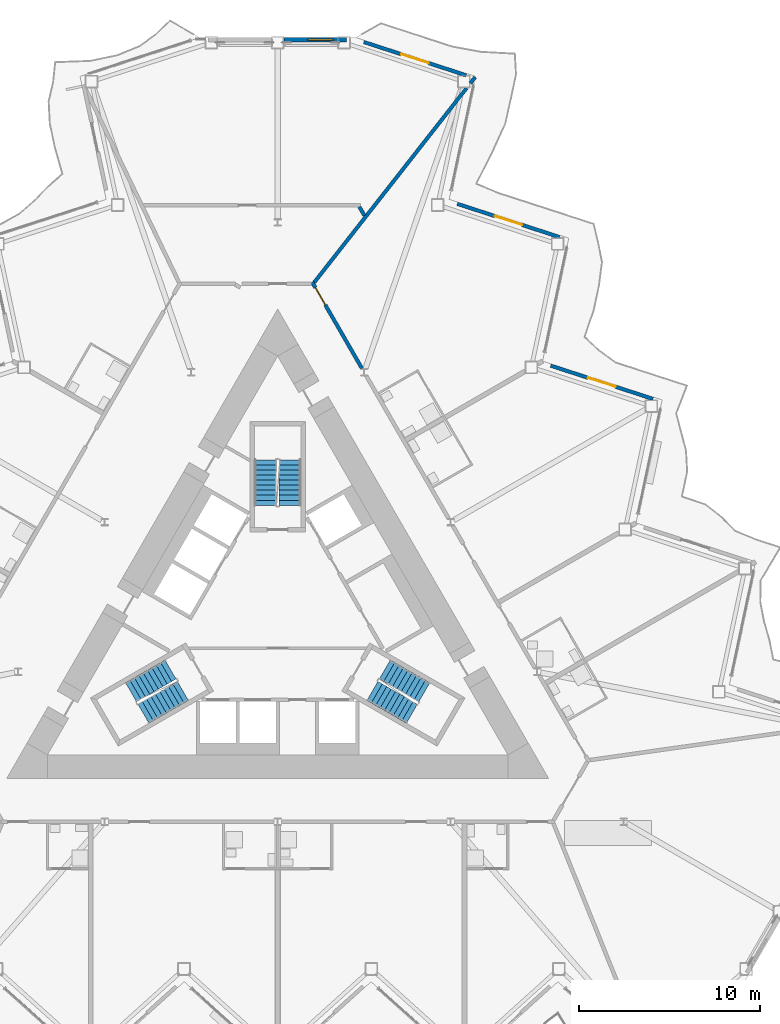
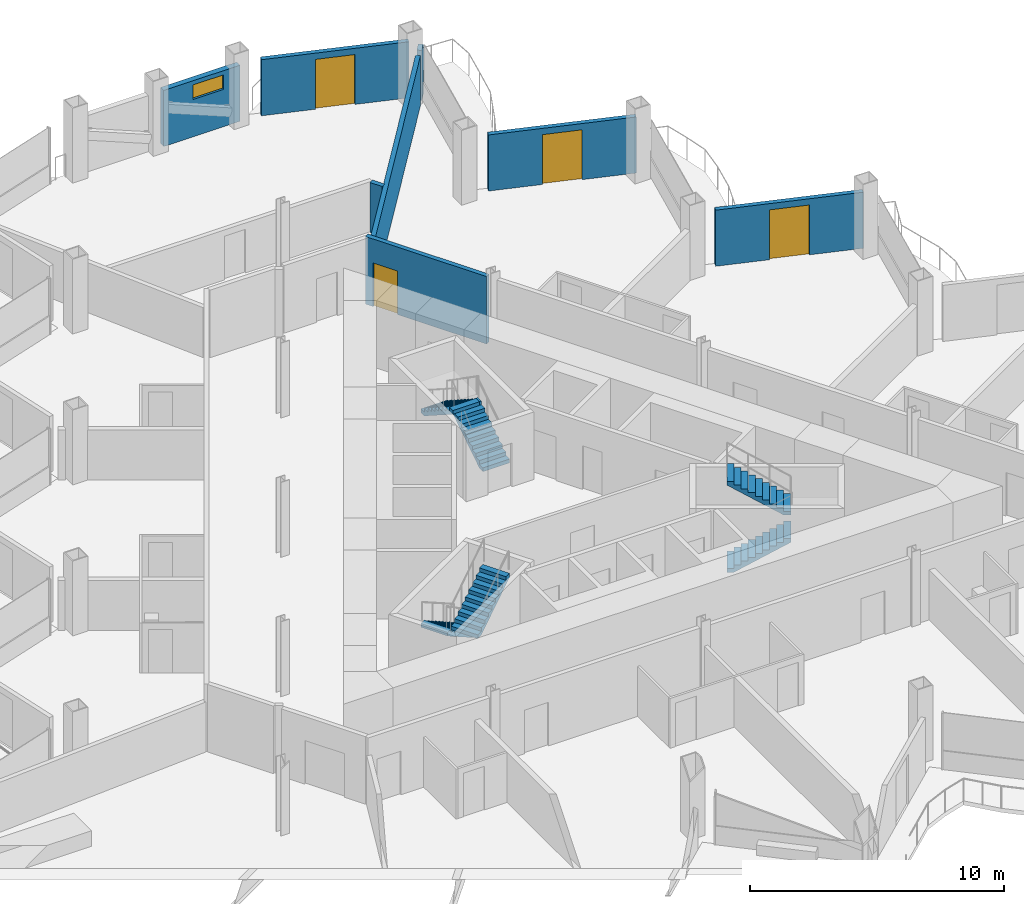
# One storey, part 15 of 24: 8 walls, 6 stair flights, 4 doors, 1 window, 5 openings, 3 elements without a shape of their own.
"""IFC4 building model written with IfcOpenShell, lengths in metres."""

from ifc_helpers import new_model, si_unit, direction, frame, frame_2d, origin, place, context, subcontext, project, spatial, polyline, rectangle, outline, extrude, material, layer, layer_set, type_object, element, fill, aggregate, save


model = new_model("IFC4")

# Units and contexts
model_context = context("Model", 3, precision=1e-05, world=origin(), true_north=direction((0.0, 1.0)))
body_context = subcontext(model_context, "Body", "Model", "MODEL_VIEW")
ifc_project = project(units=[si_unit("LENGTHUNIT", "METRE"), si_unit("AREAUNIT", "SQUARE_METRE"), si_unit("VOLUMEUNIT", "CUBIC_METRE"), si_unit("PLANEANGLEUNIT", "RADIAN"), si_unit("MASSUNIT", "GRAM", prefix="KILO")], contexts=[model_context])

# Site, building, storey
site_placement = place(None, origin())
site = spatial("IfcSite", under=ifc_project, at=site_placement, CompositionType="ELEMENT")
building_placement = place(site_placement, origin())
building = spatial("IfcBuilding", under=site, at=building_placement, Name="Cormorant Prow Tower", CompositionType="ELEMENT")
storey_placement = place(building_placement, frame((0.0, 0.0, 238.199951171875)))
storey = spatial("IfcBuildingStorey", under=building, at=storey_placement, Name="L52", CompositionType="ELEMENT", Elevation=238.199951171875)

# Wall, opening, door
ifc_material_1 = material(Name="Gypsum board corridor wall")
ifc_layer_1 = layer(ifc_material_1, 0.199951171875)
ifc_layer_set_1 = layer_set([ifc_layer_1], Name="Gypsum board corridor wall")
wall_type_1 = type_object("IfcWallType", Name="Corridor wall 200", PredefinedType="PARTITIONING", material=ifc_layer_set_1)
wall_1_placement = place(storey_placement, frame((1.9130859375, 18.80712890625, 0.0), z_axis=(0.0, 0.0, 1.0), x_axis=(0.499984524817, -0.866034338201, 0.0)))
wall_1 = element("IfcWall", 1, at=wall_1_placement, inside=storey, type_object=wall_type_1, Name="Corridor wall", PredefinedType="PARTITIONING", context=body_context, shape_type="SweptSolid", body=[
    extrude(rectangle(XDim=5.510498046875, YDim=0.199951171875, at=frame_2d((2.75537109375, 0.0))), origin(), (0.0, 0.0, 1.0), 3.25),
])
opening_1_placement = place(wall_1_placement, frame((0.350341796875, 0.0, 0.0)))
opening_1 = element("IfcOpeningElement", 2, at=opening_1_placement, cuts=wall_1, Name="Opening L52-F16", PredefinedType="OPENING", context=body_context, shape_type="SweptSolid", body=[
    extrude(rectangle(XDim=1.10009765625, YDim=2.10009765625, at=frame_2d((0.550048828125, 1.050048828125))), frame((0.0, 0.10986328125, 0.0), z_axis=(0.0, -1.0, 0.0), x_axis=(1.0, 0.0, 0.0)), (0.0, 0.0, 1.0), 0.219970703125),
])
ifc_material_2 = material(Name="Timber door leaf", Category="wood")
door_type_1 = type_object("IfcDoorType", Name="Suite entrance door 1100x2100", OperationType="NOTDEFINED", PredefinedType="DOOR", material=ifc_material_2)
door_1_placement = place(opening_1_placement, origin())
door_1 = element("IfcDoor", 3, at=door_1_placement, inside=storey, type_object=door_type_1, Name="Executive suite bedroom door", OperationType="SINGLE_SWING_LEFT", OverallHeight=2.10009765625, OverallWidth=1.10009765625, PredefinedType="DOOR", context=body_context, shape_type="SweptSolid", body=[
    extrude(rectangle(XDim=1.10009765625, YDim=2.10009765625, at=frame_2d((0.550048828125, 1.050048828125))), frame((0.0, 0.02490234375, 0.0), z_axis=(0.0, -1.0, 0.0), x_axis=(1.0, 0.0, 0.0)), (0.0, 0.0, 1.0), 0.050048828125),
])
fill(opening_1, door_1)

# Walls
ifc_material_3 = material(Name="Gypsum board demising wall")
ifc_layer_2 = layer(ifc_material_3, 0.199951171875)
ifc_layer_set_2 = layer_set([ifc_layer_2], Name="Gypsum board demising wall")
wall_type_2 = type_object("IfcWallType", Name="Demising wall 200", PredefinedType="PARTITIONING", material=ifc_layer_set_2)
wall_2_placement = place(storey_placement, frame((2.024658203125, 18.799072265625, 0.0), z_axis=(0.0, 0.0, 1.0), x_axis=(0.616942368609, 0.787008331478, 0.0)))
element("IfcWall", 4, at=wall_2_placement, inside=storey, type_object=wall_type_2, Name="Demising wall", PredefinedType="PARTITIONING", context=body_context, shape_type="SweptSolid", body=[
    extrude(rectangle(XDim=13.66796875, YDim=0.199951171875, at=frame_2d((6.833984375, 0.0))), origin(), (0.0, 0.0, 1.0), 2.404296875),
])
wall_3_placement = place(storey_placement, frame((4.5244140625, 22.98388671875, 0.0), z_axis=(0.0, 0.0, 1.0), x_axis=(0.500248658738, -0.865881792989, 0.0)))
element("IfcWall", 5, at=wall_3_placement, inside=storey, type_object=wall_type_2, Name="Demising wall", PredefinedType="PARTITIONING", context=body_context, shape_type="SweptSolid", body=[
    extrude(rectangle(XDim=0.562255859375, YDim=0.199951171875, at=frame_2d((0.28125, 0.0))), origin(), (0.0, 0.0, 1.0), 2.404296875),
])
wall_4_placement = place(storey_placement, frame((10.670166015625, 29.827880859375, 0.0), z_axis=(0.0, 0.0, 1.0), x_axis=(0.617216179113, 0.786793612227, 0.0)))
element("IfcWall", 6, at=wall_4_placement, inside=storey, type_object=wall_type_2, Name="Demising wall", PredefinedType="PARTITIONING", context=body_context, shape_type="SweptSolid", body=[
    extrude(rectangle(XDim=0.427490234375, YDim=0.199951171875, at=frame_2d((0.2138671875, 0.0))), origin(), (0.0, 0.0, 1.0), 2.404296875),
])

# Wall, opening, window
ifc_material_4 = material(Name="Terracotta", Category="masonry")
ifc_layer_3 = layer(ifc_material_4, 0.25)
ifc_layer_set_3 = layer_set([ifc_layer_3], Name="Terracotta")
wall_type_3 = type_object("IfcWallType", Name="Terracotta bay wall 250", PredefinedType="SOLIDWALL", material=ifc_layer_set_3)
wall_5_placement = place(storey_placement, frame((3.822998046875, 32.2314453125, 0.0), z_axis=(0.0, 0.0, 1.0), x_axis=(-1.0, 0.0, 0.0)))
wall_5 = element("IfcWall", 7, at=wall_5_placement, inside=storey, type_object=wall_type_3, Name="Terracotta bay wall N00", PredefinedType="SOLIDWALL", context=body_context, shape_type="SweptSolid", body=[
    extrude(rectangle(XDim=3.472900390625, YDim=0.25, at=frame_2d((1.736328125, 0.0))), origin(), (0.0, 0.0, 1.0), 2.700927734375),
])
opening_2_placement = place(wall_5_placement, frame((0.75, 0.0, 1.800048828125)))
opening_2 = element("IfcOpeningElement", 8, at=opening_2_placement, cuts=wall_5, Name="Opening WN4", PredefinedType="OPENING", context=body_context, shape_type="SweptSolid", body=[
    extrude(rectangle(XDim=1.39990234375, YDim=0.699951171875, at=frame_2d((0.699951171875, 0.35009765625))), frame((0.0, 0.135009765625, 0.0), z_axis=(0.0, -1.0, 0.0), x_axis=(1.0, 0.0, 0.0)), (0.0, 0.0, 1.0), 0.27001953125),
])
ifc_material_5 = material(Name="Aluminium 6063-T6", Category="aluminium")
window_type = type_object("IfcWindowType", Name="Corner bay window 1400x700", PartitioningType="SINGLE_PANEL", PredefinedType="WINDOW", material=ifc_material_5)
window_placement = place(opening_2_placement, origin())
window = element("IfcWindow", 9, at=window_placement, inside=storey, type_object=window_type, Name="Corner bay window N00", OverallHeight=0.699951171875, OverallWidth=1.39990234375, PartitioningType="SINGLE_PANEL", PredefinedType="WINDOW", context=body_context, shape_type="SweptSolid", body=[
    extrude(rectangle(XDim=1.39990234375, YDim=0.699951171875, at=frame_2d((0.699951171875, 0.35009765625))), frame((0.0, 0.030029296875, 0.0), z_axis=(0.0, -1.0, 0.0), x_axis=(1.0, 0.0, 0.0)), (0.0, 0.0, 1.0), 0.06005859375),
])
fill(opening_2, window)

# Wall, opening, door
ifc_material_6 = material(Name="Terracotta", Category="masonry")
ifc_layer_4 = layer(ifc_material_6, 0.199951171875)
ifc_layer_set_4 = layer_set([ifc_layer_4], Name="Terracotta")
wall_type_4 = type_object("IfcWallType", Name="Terracotta jamb wall 200", PredefinedType="SOLIDWALL", material=ifc_layer_set_4)
wall_6_placement = place(storey_placement, frame((20.779296875, 12.349609375, 0.0), z_axis=(0.0, 0.0, 1.0), x_axis=(-0.951065383831, 0.308989701572, 0.0)))
wall_6 = element("IfcWall", 10, at=wall_6_placement, inside=storey, type_object=wall_type_4, Name="Terracotta jamb wall ENE05", PredefinedType="SOLIDWALL", context=body_context, shape_type="SweptSolid", body=[
    extrude(rectangle(XDim=5.95751953125, YDim=0.199951171875, at=frame_2d((2.978759765625, 0.0))), origin(), (0.0, 0.0, 1.0), 2.700927734375),
])
opening_3_placement = place(wall_6_placement, frame((2.1787109375, 0.0, 0.0)))
opening_3 = element("IfcOpeningElement", 11, at=opening_3_placement, cuts=wall_6, Name="Opening ED52.08", PredefinedType="OPENING", context=body_context, shape_type="SweptSolid", body=[
    extrude(rectangle(XDim=1.60009765625, YDim=2.39990234375, at=frame_2d((0.800048828125, 1.199951171875))), frame((0.0, 0.10986328125, 0.0), z_axis=(0.0, -1.0, 0.0), x_axis=(1.0, 0.0, 0.0)), (0.0, 0.0, 1.0), 0.219970703125),
])
ifc_material_7 = material(Name="Aluminium 6063-T6", Category="aluminium")
door_type_2 = type_object("IfcDoorType", Name="Balcony door 1600x2400", OperationType="DOUBLE_DOOR_SINGLE_SWING", PredefinedType="DOOR", material=ifc_material_7)
door_2_placement = place(opening_3_placement, origin())
door_2 = element("IfcDoor", 12, at=door_2_placement, inside=storey, type_object=door_type_2, Name="Balcony door ENE05 ED52.08", OperationType="DOUBLE_DOOR_SINGLE_SWING", OverallHeight=2.39990234375, OverallWidth=1.60009765625, PredefinedType="DOOR", context=body_context, shape_type="SweptSolid", body=[
    extrude(rectangle(XDim=1.60009765625, YDim=2.39990234375, at=frame_2d((0.800048828125, 1.199951171875))), frame((0.0, 0.02490234375, 0.0), z_axis=(0.0, -1.0, 0.0), x_axis=(1.0, 0.0, 0.0)), (0.0, 0.0, 1.0), 0.050048828125),
])
fill(opening_3, door_2)

wall_7_placement = place(storey_placement, frame((15.607421875, 21.3076171875, 0.0), z_axis=(0.0, 0.0, 1.0), x_axis=(-0.951065383831, 0.308989701572, 0.0)))
wall_7 = element("IfcWall", 13, at=wall_7_placement, inside=storey, type_object=wall_type_4, Name="Terracotta jamb wall ENE07", PredefinedType="SOLIDWALL", context=body_context, shape_type="SweptSolid", body=[
    extrude(rectangle(XDim=5.95751953125, YDim=0.199951171875, at=frame_2d((2.978759765625, 0.0))), origin(), (0.0, 0.0, 1.0), 2.700927734375),
])
opening_4_placement = place(wall_7_placement, frame((2.1787109375, 0.0, 0.0)))
opening_4 = element("IfcOpeningElement", 14, at=opening_4_placement, cuts=wall_7, Name="Opening ED52.09", PredefinedType="OPENING", context=body_context, shape_type="SweptSolid", body=[
    extrude(rectangle(XDim=1.60009765625, YDim=2.39990234375, at=frame_2d((0.800048828125, 1.199951171875))), frame((0.0, 0.10986328125, 0.0), z_axis=(0.0, -1.0, 0.0), x_axis=(1.0, 0.0, 0.0)), (0.0, 0.0, 1.0), 0.219970703125),
])
door_3_placement = place(opening_4_placement, origin())
door_3 = element("IfcDoor", 15, at=door_3_placement, inside=storey, type_object=door_type_2, Name="Balcony door ENE07 ED52.09", OperationType="DOUBLE_DOOR_SINGLE_SWING", OverallHeight=2.39990234375, OverallWidth=1.60009765625, PredefinedType="DOOR", context=body_context, shape_type="SweptSolid", body=[
    extrude(rectangle(XDim=1.60009765625, YDim=2.39990234375, at=frame_2d((0.800048828125, 1.199951171875))), frame((0.0, 0.02490234375, 0.0), z_axis=(0.0, -1.0, 0.0), x_axis=(1.0, 0.0, 0.0)), (0.0, 0.0, 1.0), 0.050048828125),
])
fill(opening_4, door_3)

wall_8_placement = place(storey_placement, frame((10.435302734375, 30.265625, 0.0), z_axis=(0.0, 0.0, 1.0), x_axis=(-0.951061471046, 0.309001744805, 0.0)))
wall_8 = element("IfcWall", 16, at=wall_8_placement, inside=storey, type_object=wall_type_4, Name="Terracotta jamb wall ENE09", PredefinedType="SOLIDWALL", context=body_context, shape_type="SweptSolid", body=[
    extrude(rectangle(XDim=5.957275390625, YDim=0.199951171875, at=frame_2d((2.978515625, 0.0))), origin(), (0.0, 0.0, 1.0), 2.700927734375),
])
opening_5_placement = place(wall_8_placement, frame((2.1787109375, 0.0, 0.0)))
opening_5 = element("IfcOpeningElement", 17, at=opening_5_placement, cuts=wall_8, Name="Opening ED52.10", PredefinedType="OPENING", context=body_context, shape_type="SweptSolid", body=[
    extrude(rectangle(XDim=1.60009765625, YDim=2.39990234375, at=frame_2d((0.800048828125, 1.199951171875))), frame((0.0, 0.10986328125, 0.0), z_axis=(0.0, -1.0, 0.0), x_axis=(1.0, 0.0, 0.0)), (0.0, 0.0, 1.0), 0.219970703125),
])
door_4_placement = place(opening_5_placement, origin())
door_4 = element("IfcDoor", 18, at=door_4_placement, inside=storey, type_object=door_type_2, Name="Balcony door ENE09 ED52.10", OperationType="DOUBLE_DOOR_SINGLE_SWING", OverallHeight=2.39990234375, OverallWidth=1.60009765625, PredefinedType="DOOR", context=body_context, shape_type="SweptSolid", body=[
    extrude(rectangle(XDim=1.60009765625, YDim=2.39990234375, at=frame_2d((0.800048828125, 1.199951171875))), frame((0.0, 0.02490234375, 0.0), z_axis=(0.0, -1.0, 0.0), x_axis=(1.0, 0.0, 0.0)), (0.0, 0.0, 1.0), 0.050048828125),
])
fill(opening_5, door_4)

# Stair, stair flights
ifc_material_8 = material(Name="Exit stair 20 risers")
stair_type = type_object("IfcStairType", Name="Exit stair 20 risers", PredefinedType="HALF_TURN_STAIR", material=ifc_material_8)
stair_1_placement = place(storey_placement, origin())
stair_1 = element("IfcStair", 19, at=stair_1_placement, inside=storey, type_object=stair_type, Name="L52 Exit stair ST1", PredefinedType="HALF_TURN_STAIR")
ifc_material_9 = material(Name="Concrete 5000 psi", Category="concrete")
stair_flight_type = type_object("IfcStairFlightType", Name="Stair flight 1219", PredefinedType="STRAIGHT", material=ifc_material_9)
stair_flight_1_placement = place(storey_placement, frame((-5.93310546875, -2.635009765625, 0.0), z_axis=(0.0, 0.0, 1.0), x_axis=(-0.866025403784, -0.5, 0.0)))
stair_flight_1 = element("IfcStairFlight", 20, at=stair_flight_1_placement, type_object=stair_flight_type, Name="ST1 flight 1", NumberOfRisers=10, NumberOfTreads=9, PredefinedType="STRAIGHT", RiserHeight=0.18, TreadLength=0.28, context=body_context, shape_type="SweptSolid", body=[
    extrude(outline(polyline([(0.0, 0.0), (0.0, 0.179931640625), (0.280029296875, 0.179931640625), (0.280029296875, 0.360107421875), (0.56005859375, 0.360107421875), (0.56005859375, 0.5400390625), (0.840087890625, 0.5400390625), (0.840087890625, 0.719970703125), (1.1201171875, 0.719970703125), (1.1201171875, 0.89990234375), (1.39990234375, 0.89990234375), (1.39990234375, 1.080078125), (1.679931640625, 1.080078125), (1.679931640625, 1.260009765625), (1.9599609375, 1.260009765625), (1.9599609375, 1.43994140625), (2.239990234375, 1.43994140625), (2.239990234375, 1.6201171875), (2.52001953125, 1.6201171875), (2.52001953125, 1.800048828125), (2.52001953125, 1.44189453125), (0.277099609375, 0.0), (0.0, 0.0)])), frame((0.0, 0.609375, 0.0), z_axis=(0.0, -1.0, 0.0), x_axis=(1.0, 0.0, 0.0)), (0.0, 0.0, 1.0), 1.218994140625),
])
stair_flight_2_placement = place(storey_placement, frame((-7.43115234375, -5.080810546875, 1.800048828125), z_axis=(0.0, 0.0, 1.0), x_axis=(0.866025403784, 0.5, 0.0)))
stair_flight_2 = element("IfcStairFlight", 21, at=stair_flight_2_placement, type_object=stair_flight_type, Name="ST1 flight 2", NumberOfRisers=10, NumberOfTreads=9, PredefinedType="STRAIGHT", RiserHeight=0.18, TreadLength=0.28, context=body_context, shape_type="SweptSolid", body=[
    extrude(outline(polyline([(0.0, 0.0), (0.0, 0.179931640625), (0.280029296875, 0.179931640625), (0.280029296875, 0.360107421875), (0.56005859375, 0.360107421875), (0.56005859375, 0.5400390625), (0.840087890625, 0.5400390625), (0.840087890625, 0.719970703125), (1.1201171875, 0.719970703125), (1.1201171875, 0.89990234375), (1.39990234375, 0.89990234375), (1.39990234375, 1.080078125), (1.679931640625, 1.080078125), (1.679931640625, 1.260009765625), (1.9599609375, 1.260009765625), (1.9599609375, 1.43994140625), (2.239990234375, 1.43994140625), (2.239990234375, 1.6201171875), (2.52001953125, 1.6201171875), (2.52001953125, 1.800048828125), (2.52001953125, 1.44189453125), (0.277099609375, 0.0), (0.0, 0.0)])), frame((0.0, 0.609375, 0.0), z_axis=(0.0, -1.0, 0.0), x_axis=(1.0, 0.0, 0.0)), (0.0, 0.0, 1.0), 1.218994140625),
])
aggregate(stair_1, [stair_flight_1, stair_flight_2])

stair_2_placement = place(storey_placement, origin())
stair_2 = element("IfcStair", 22, at=stair_2_placement, inside=storey, type_object=stair_type, Name="L52 Exit stair ST2", PredefinedType="HALF_TURN_STAIR")
stair_flight_3_placement = place(storey_placement, frame((5.24853515625, -3.82080078125, 0.0), z_axis=(0.0, 0.0, 1.0), x_axis=(0.866025403784, -0.5, 0.0)))
stair_flight_3 = element("IfcStairFlight", 23, at=stair_flight_3_placement, type_object=stair_flight_type, Name="ST2 flight 1", NumberOfRisers=10, NumberOfTreads=9, PredefinedType="STRAIGHT", RiserHeight=0.18, TreadLength=0.28, context=body_context, shape_type="SweptSolid", body=[
    extrude(outline(polyline([(0.0, 0.0), (0.0, 0.179931640625), (0.280029296875, 0.179931640625), (0.280029296875, 0.360107421875), (0.56005859375, 0.360107421875), (0.56005859375, 0.5400390625), (0.840087890625, 0.5400390625), (0.840087890625, 0.719970703125), (1.1201171875, 0.719970703125), (1.1201171875, 0.89990234375), (1.39990234375, 0.89990234375), (1.39990234375, 1.080078125), (1.679931640625, 1.080078125), (1.679931640625, 1.260009765625), (1.9599609375, 1.260009765625), (1.9599609375, 1.43994140625), (2.239990234375, 1.43994140625), (2.239990234375, 1.6201171875), (2.52001953125, 1.6201171875), (2.52001953125, 1.800048828125), (2.52001953125, 1.44189453125), (0.277099609375, 0.0), (0.0, 0.0)])), frame((0.0, 0.609375, 0.0), z_axis=(0.0, -1.0, 0.0), x_axis=(1.0, 0.0, 0.0)), (0.0, 0.0, 1.0), 1.218994140625),
])
stair_flight_4_placement = place(storey_placement, frame((8.115478515625, -3.89501953125, 1.800048828125), z_axis=(0.0, 0.0, 1.0), x_axis=(-0.866025403784, 0.5, 0.0)))
stair_flight_4 = element("IfcStairFlight", 24, at=stair_flight_4_placement, type_object=stair_flight_type, Name="ST2 flight 2", NumberOfRisers=10, NumberOfTreads=9, PredefinedType="STRAIGHT", RiserHeight=0.18, TreadLength=0.28, context=body_context, shape_type="SweptSolid", body=[
    extrude(outline(polyline([(0.0, 0.0), (0.0, 0.179931640625), (0.280029296875, 0.179931640625), (0.280029296875, 0.360107421875), (0.56005859375, 0.360107421875), (0.56005859375, 0.5400390625), (0.840087890625, 0.5400390625), (0.840087890625, 0.719970703125), (1.1201171875, 0.719970703125), (1.1201171875, 0.89990234375), (1.39990234375, 0.89990234375), (1.39990234375, 1.080078125), (1.679931640625, 1.080078125), (1.679931640625, 1.260009765625), (1.9599609375, 1.260009765625), (1.9599609375, 1.43994140625), (2.239990234375, 1.43994140625), (2.239990234375, 1.6201171875), (2.52001953125, 1.6201171875), (2.52001953125, 1.800048828125), (2.52001953125, 1.44189453125), (0.277099609375, 0.0), (0.0, 0.0)])), frame((0.0, 0.609375, 0.0), z_axis=(0.0, -1.0, 0.0), x_axis=(1.0, 0.0, 0.0)), (0.0, 0.0, 1.0), 1.218994140625),
])
aggregate(stair_2, [stair_flight_3, stair_flight_4])

stair_3_placement = place(storey_placement, origin())
stair_3 = element("IfcStair", 25, at=stair_3_placement, inside=storey, type_object=stair_type, Name="L52 Exit stair ST3", PredefinedType="HALF_TURN_STAIR")
stair_flight_5_placement = place(storey_placement, frame((0.6845703125, 6.455810546875, 0.0), z_axis=(0.0, 0.0, 1.0), x_axis=(0.0, 1.0, 0.0)))
stair_flight_5 = element("IfcStairFlight", 26, at=stair_flight_5_placement, type_object=stair_flight_type, Name="ST3 flight 1", NumberOfRisers=10, NumberOfTreads=9, PredefinedType="STRAIGHT", RiserHeight=0.18, TreadLength=0.28, context=body_context, shape_type="SweptSolid", body=[
    extrude(outline(polyline([(0.0, 0.0), (0.0, 0.179931640625), (0.280029296875, 0.179931640625), (0.280029296875, 0.360107421875), (0.56005859375, 0.360107421875), (0.56005859375, 0.5400390625), (0.840087890625, 0.5400390625), (0.840087890625, 0.719970703125), (1.1201171875, 0.719970703125), (1.1201171875, 0.89990234375), (1.39990234375, 0.89990234375), (1.39990234375, 1.080078125), (1.679931640625, 1.080078125), (1.679931640625, 1.260009765625), (1.9599609375, 1.260009765625), (1.9599609375, 1.43994140625), (2.239990234375, 1.43994140625), (2.239990234375, 1.6201171875), (2.52001953125, 1.6201171875), (2.52001953125, 1.800048828125), (2.52001953125, 1.44189453125), (0.277099609375, 0.0), (0.0, 0.0)])), frame((0.0, 0.609375, 0.0), z_axis=(0.0, -1.0, 0.0), x_axis=(1.0, 0.0, 0.0)), (0.0, 0.0, 1.0), 1.218994140625),
])
stair_flight_6_placement = place(storey_placement, frame((-0.6845703125, 8.975830078125, 1.800048828125), z_axis=(0.0, 0.0, 1.0), x_axis=(0.0, -1.0, 0.0)))
stair_flight_6 = element("IfcStairFlight", 27, at=stair_flight_6_placement, type_object=stair_flight_type, Name="ST3 flight 2", NumberOfRisers=10, NumberOfTreads=9, PredefinedType="STRAIGHT", RiserHeight=0.18, TreadLength=0.28, context=body_context, shape_type="SweptSolid", body=[
    extrude(outline(polyline([(0.0, 0.0), (0.0, 0.179931640625), (0.280029296875, 0.179931640625), (0.280029296875, 0.360107421875), (0.56005859375, 0.360107421875), (0.56005859375, 0.5400390625), (0.840087890625, 0.5400390625), (0.840087890625, 0.719970703125), (1.1201171875, 0.719970703125), (1.1201171875, 0.89990234375), (1.39990234375, 0.89990234375), (1.39990234375, 1.080078125), (1.679931640625, 1.080078125), (1.679931640625, 1.260009765625), (1.9599609375, 1.260009765625), (1.9599609375, 1.43994140625), (2.239990234375, 1.43994140625), (2.239990234375, 1.6201171875), (2.52001953125, 1.6201171875), (2.52001953125, 1.800048828125), (2.52001953125, 1.44189453125), (0.277099609375, 0.0), (0.0, 0.0)])), frame((0.0, 0.609375, 0.0), z_axis=(0.0, -1.0, 0.0), x_axis=(1.0, 0.0, 0.0)), (0.0, 0.0, 1.0), 1.218994140625),
])
aggregate(stair_3, [stair_flight_5, stair_flight_6])

save(model, "model.ifc")
